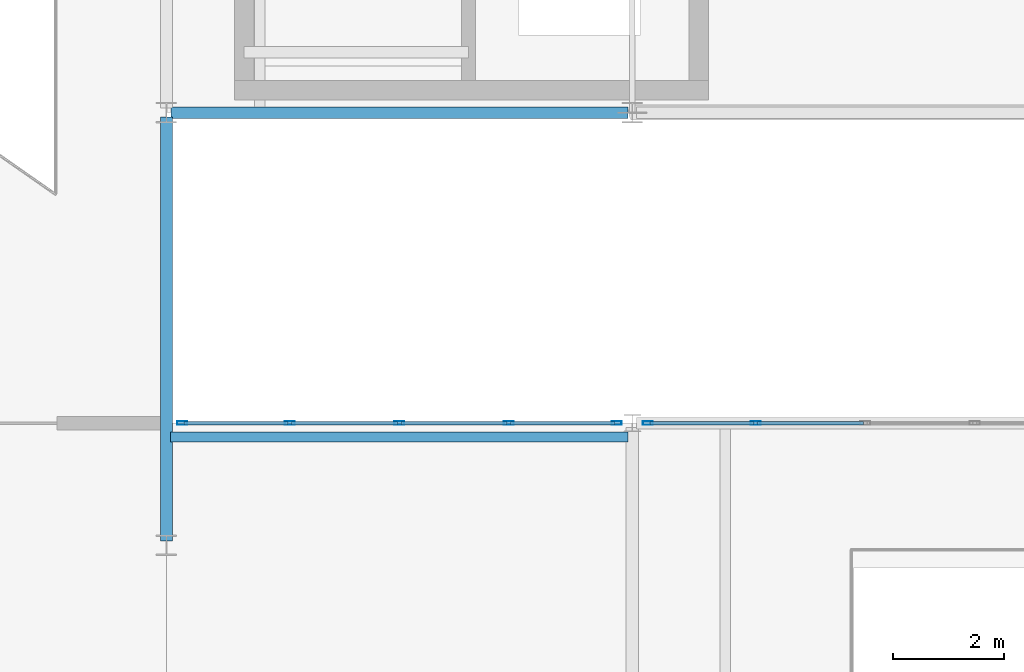
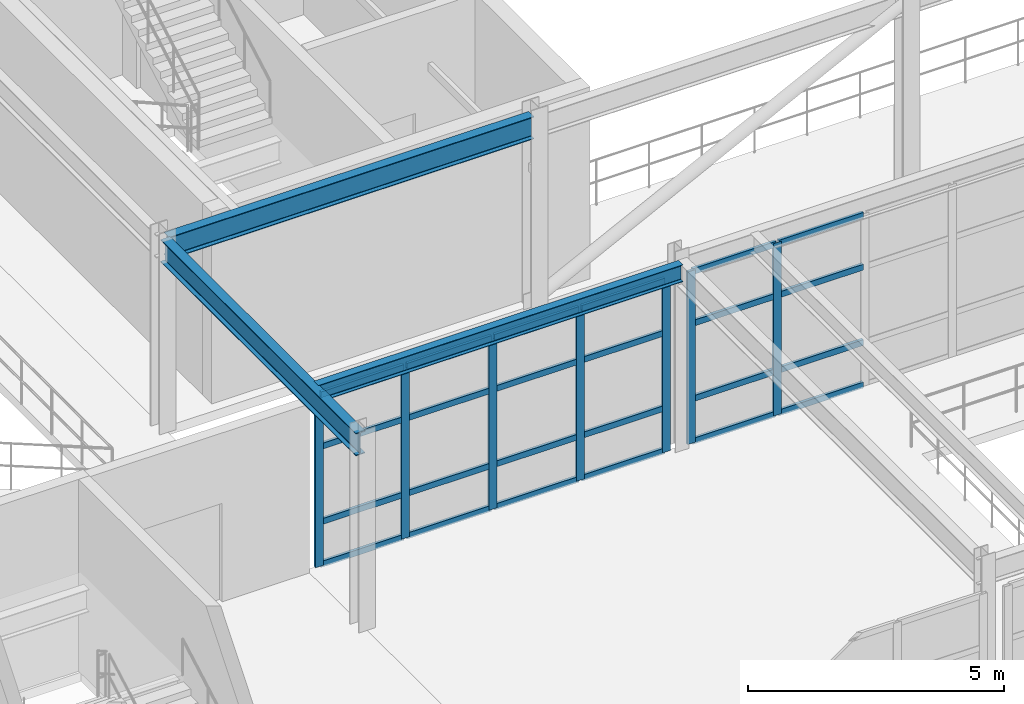
# One storey, part 29 of 116: 31 members, 3 beams, 2 elements without a shape of their own.
"""IFC4 building model written with IfcOpenShell, lengths in metres."""

import ifcopenshell
import ifcopenshell.guid

model = None  # the IFC model being written
_history = None  # IfcOwnerHistory: only IFC2X3 demands one
_inside = {}  # id of a spatial element -> (the spatial element, [elements in it])
_under = {}  # id of a project, library or spatial element -> (it, [spatial elements below it])
_declared = {}  # id of a project -> (the project, [libraries it declares])
_typed = {}  # id of a type object -> (the type object, [elements of that type])
_made_of = {}  # id of a material, layer set ... -> (it, [elements and type objects made of it])


def new_model(schema):
    """Start an empty IFC model of exactly this schema.

    Asked for "IFC4X3", IfcOpenShell would pick the latest addendum, in which some entities
    have other attributes; the version numbers below select the first issue.
    IFC2X3 requires an IfcOwnerHistory on every rooted entity: one is made here for all.
    """
    global model, _history
    if schema == "IFC4X3":
        model = ifcopenshell.file(schema_version=(4, 3, 0, 0))
    else:
        model = ifcopenshell.file(schema=schema)
    _inside.clear()
    _under.clear()
    _declared.clear()
    _typed.clear()
    _made_of.clear()
    _history = None
    if model.schema == "IFC2X3":
        org = make("IfcOrganization", Name="unknown")
        user = make(
            "IfcPersonAndOrganization",
            ThePerson=make("IfcPerson", FamilyName="unknown"),
            TheOrganization=org,
        )
        app = make(
            "IfcApplication",
            ApplicationDeveloper=org,
            Version="unknown",
            ApplicationFullName="unknown",
            ApplicationIdentifier="unknown",
        )
        _history = make(
            "IfcOwnerHistory",
            OwningUser=user,
            OwningApplication=app,
            ChangeAction="ADDED",
            CreationDate=0,
        )
    return model


def make(cls, **values):
    """One entity of the class cls with the attributes given. An attribute that is None is left unset."""
    return model.create_entity(
        cls, **{name: value for name, value in values.items() if value is not None}
    )


def rooted(cls, **values):
    """An entity with a GlobalId (a new one), such as an element, a storey or a relation."""
    return make(cls, GlobalId=ifcopenshell.guid.new(), OwnerHistory=_history, **values)


def si_unit(unit_type, name, prefix=None):
    """IfcSIUnit, for example si_unit("LENGTHUNIT", "METRE", prefix="MILLI")."""
    return make("IfcSIUnit", UnitType=unit_type, Prefix=prefix, Name=name)


def assignment(units):
    """IfcUnitAssignment: the units of a project."""
    return None if units is None else make("IfcUnitAssignment", Units=units)


def point(xyz):
    """IfcCartesianPoint."""
    return None if xyz is None else make("IfcCartesianPoint", Coordinates=xyz)


def direction(xyz):
    """IfcDirection."""
    return None if xyz is None else make("IfcDirection", DirectionRatios=xyz)


def frame(location, z_axis=None, x_axis=None):
    """IfcAxis2Placement3D, a coordinate frame: its origin and axes. An axis left out is left unset."""
    return make(
        "IfcAxis2Placement3D",
        Location=point(location),
        Axis=direction(z_axis),
        RefDirection=direction(x_axis),
    )


def frame_2d(location, x_axis=None):
    """IfcAxis2Placement2D, a coordinate frame in the plane: its origin and x axis."""
    return make(
        "IfcAxis2Placement2D", Location=point(location), RefDirection=direction(x_axis)
    )


def origin():
    """The frame at (0, 0, 0) with its axes left unset."""
    return frame((0.0, 0.0, 0.0))


def origin_2d():
    """The frame at (0, 0) in the plane with its x axis left unset."""
    return frame_2d((0.0, 0.0))


def place(relative_to, where):
    """IfcLocalPlacement: puts the frame where relative to a parent placement (None: the world)."""
    return make(
        "IfcLocalPlacement", PlacementRelTo=relative_to, RelativePlacement=where
    )


def context(
    kind, dimensions, precision=None, world=None, true_north=None, identifier=None
):
    """IfcGeometricRepresentationContext, for example the 3D "Model" context."""
    return make(
        "IfcGeometricRepresentationContext",
        ContextIdentifier=identifier,
        ContextType=kind,
        CoordinateSpaceDimension=dimensions,
        Precision=precision,
        WorldCoordinateSystem=world,
        TrueNorth=true_north,
    )


def subcontext(parent, identifier, kind, view, scale=None):
    """IfcGeometricRepresentationSubContext, for example "Body" below "Model"."""
    return make(
        "IfcGeometricRepresentationSubContext",
        ContextIdentifier=identifier,
        ContextType=kind,
        ParentContext=parent,
        TargetScale=scale,
        TargetView=view,
    )


def project(units=None, contexts=None):
    """IfcProject with its units and contexts."""
    return rooted(
        "IfcProject",
        Name="project",
        RepresentationContexts=contexts,
        UnitsInContext=assignment(units),
    )


def spatial(cls, under=None, at=None, **own):
    """A site, building, storey or space (cls), placed at a placement, below another one or the project."""
    s = rooted(cls, ObjectPlacement=at, **own)
    if under is not None:
        _under.setdefault(under.id(), (under, []))[1].append(s)
    return s


def profile(cls, at=None, kind="AREA", **sizes):
    """A parametric profile (cls). Its sizes go by their IFC names, for example OverallWidth=200.0."""
    return make(cls, ProfileType=kind, Position=at, **sizes)


def hollow_rectangle(**sizes):
    """IfcRectangleHollowProfileDef."""
    return profile("IfcRectangleHollowProfileDef", **sizes)


def i_section(**sizes):
    """IfcIShapeProfileDef."""
    return profile("IfcIShapeProfileDef", **sizes)


def extrude(swept, where, along, depth):
    """IfcExtrudedAreaSolid: the profile swept, set in the frame where, extruded along a direction by depth."""
    return make(
        "IfcExtrudedAreaSolid",
        SweptArea=swept,
        Position=where,
        ExtrudedDirection=direction(along),
        Depth=depth,
    )


def shape(context_of_items, identifier, shape_type, items):
    """IfcShapeRepresentation: the items that make up one representation, for example the "Body"."""
    return make(
        "IfcShapeRepresentation",
        ContextOfItems=context_of_items,
        RepresentationIdentifier=identifier,
        RepresentationType=shape_type,
        Items=items,
    )


def material(Name=None, Category=None):
    """IfcMaterial."""
    return make("IfcMaterial", Name=Name, Category=Category)


def layer(
    of_material, thickness, ventilated=None, Name=None, Category=None, Priority=None
):
    """IfcMaterialLayer: one layer of a wall or slab, of a material (None: an air gap)."""
    return make(
        "IfcMaterialLayer",
        Material=of_material,
        LayerThickness=thickness,
        IsVentilated=ventilated,
        Name=Name,
        Category=Category,
        Priority=Priority,
    )


def layer_set(layers, Name=None):
    """IfcMaterialLayerSet."""
    return make("IfcMaterialLayerSet", MaterialLayers=layers, LayerSetName=Name)


def material_profile(
    of_material, cross_section, Name=None, Category=None, Priority=None
):
    """IfcMaterialProfile: a cross section and its material."""
    return make(
        "IfcMaterialProfile",
        Name=Name,
        Material=of_material,
        Profile=cross_section,
        Priority=Priority,
        Category=Category,
    )


def profile_set(profiles, Name=None, composite=None):
    """IfcMaterialProfileSet."""
    return make(
        "IfcMaterialProfileSet",
        Name=Name,
        MaterialProfiles=profiles,
        CompositeProfile=composite,
    )


def made_of(thing, what):
    """Note that an element or type object is made of a material, layer set ...; save() writes the relation."""
    if what is not None:
        _made_of.setdefault(what.id(), (what, []))[1].append(thing)
    return thing


def type_object(cls, material=None, **own):
    """A type object (cls), such as IfcWallType, which elements share."""
    return made_of(rooted(cls, **own), material)


def element(
    cls,
    number,
    at=None,
    inside=None,
    cuts=None,
    type_object=None,
    material=None,
    context=None,
    identifier="Body",
    shape_type=None,
    held_by="IfcProductDefinitionShape",
    body=None,
    shapes=None,
    **own,
):
    """One element of the class cls, such as IfcWall. Its Tag is "e" and its number.

    at: its placement. inside: the storey or other place that contains it. cuts: it is an
    opening in that element (IfcRelVoidsElement). A single representation is given by context,
    identifier, shape_type and body (its items); several are given by shapes. held_by: the class
    of the entity that holds the representations. save() writes the other relations.
    """
    e = rooted(cls, Tag="e%d" % number, ObjectPlacement=at, **own)
    if body is not None:
        shapes = [shape(context, identifier, shape_type, body)]
    if shapes is not None:
        e.Representation = make(held_by, Representations=shapes)
    if inside is not None:
        _inside.setdefault(inside.id(), (inside, []))[1].append(e)
    if cuts is not None:
        rooted(
            "IfcRelVoidsElement", RelatingBuildingElement=cuts, RelatedOpeningElement=e
        )
    if type_object is not None:
        _typed.setdefault(type_object.id(), (type_object, []))[1].append(e)
    return made_of(e, material)


def aggregate(whole, parts):
    """IfcRelAggregates: a whole, such as a stair, and the parts it consists of."""
    return rooted("IfcRelAggregates", RelatingObject=whole, RelatedObjects=parts)


def save(model, path):
    """Write the relations noted so far, then the file.

    IfcRelAggregates (storeys below a building ...), IfcRelContainedInSpatialStructure (elements
    in a storey), IfcRelDefinesByType, IfcRelAssociatesMaterial and IfcRelDeclares: one each for
    every whole, place, type object, material and project.
    """
    for whole, parts in _under.values():
        aggregate(whole, parts)
    for where, things in _inside.values():
        rooted(
            "IfcRelContainedInSpatialStructure",
            RelatedElements=things,
            RelatingStructure=where,
        )
    for kind, things in _typed.values():
        rooted("IfcRelDefinesByType", RelatedObjects=things, RelatingType=kind)
    for what, things in _made_of.values():
        rooted("IfcRelAssociatesMaterial", RelatedObjects=things, RelatingMaterial=what)
    for by, libraries in _declared.values():
        rooted("IfcRelDeclares", RelatingContext=by, RelatedDefinitions=libraries)
    model.write(path)


model = new_model("IFC4")

# Units and contexts
model_context = context("Model", 3, precision=1e-05, world=origin(), true_north=direction((0.0, 1.0)))
body_context = subcontext(model_context, "Body", "Model", "MODEL_VIEW")
ifc_project = project(units=[si_unit("LENGTHUNIT", "METRE"), si_unit("AREAUNIT", "SQUARE_METRE"), si_unit("VOLUMEUNIT", "CUBIC_METRE"), si_unit("PLANEANGLEUNIT", "RADIAN"), si_unit("MASSUNIT", "GRAM", prefix="KILO")], contexts=[model_context])

# Site, building, storey
site_placement = place(None, origin())
site = spatial("IfcSite", under=ifc_project, at=site_placement, CompositionType="ELEMENT")
building_placement = place(site_placement, origin())
building = spatial("IfcBuilding", under=site, at=building_placement, Name="Selat Folded Stagehouse", CompositionType="ELEMENT")
storey_placement = place(building_placement, frame((0.0, 0.0, 5.39990234375)))
storey = spatial("IfcBuildingStorey", under=building, at=storey_placement, Name="L01", CompositionType="ELEMENT", Elevation=5.39990234375)

# Beams
ifc_material_1 = material(Name="Steel S355", Category="steel")
ifc_material_profile_1 = material_profile(ifc_material_1, i_section(OverallWidth=0.210693359375, OverallDepth=0.53955078125, WebThickness=0.01171875, FlangeThickness=0.018798828125, FilletRadius=0.0126953125, at=origin_2d()), Name="UKB 533x210x109")
ifc_profile_set_1 = profile_set([ifc_material_profile_1], Name="Steel S355")
beam_type_1 = type_object("IfcBeamType", Name="BM-GIRD-533x210x109", PredefinedType="BEAM", material=ifc_profile_set_1)
beam_1_placement = place(storey_placement, frame((33.60009765625, 15.679931640625, 4.310302734375), z_axis=(0.0, 1.0, 0.0), x_axis=(-1.0, 0.0, 0.0)))
element("IfcBeam", 1, at=beam_1_placement, inside=storey, type_object=beam_type_1, Name="L01 primary y-girder 0814", PredefinedType="BEAM", context=body_context, shape_type="SweptSolid", body=[
    extrude(i_section(OverallWidth=0.210693359375, OverallDepth=0.53955078125, WebThickness=0.01171875, FlangeThickness=0.018798828125, FilletRadius=0.0126953125, at=origin_2d()), origin(), (0.0, 0.0, 1.0), 7.64013671875),
])
ifc_material_profile_2 = material_profile(ifc_material_1, i_section(OverallWidth=0.209228515625, OverallDepth=0.533203125, WebThickness=0.010009765625, FlangeThickness=0.015625, FilletRadius=0.0126953125, at=origin_2d()), Name="UKB 533x210x92")
ifc_profile_set_2 = profile_set([ifc_material_profile_2], Name="Steel S355")
beam_type_2 = type_object("IfcBeamType", Name="BM-GIRD-533x210x92", PredefinedType="BEAM", material=ifc_profile_set_2)
beam_2_placement = place(storey_placement, frame((33.679931640625, 23.39990234375, 4.3134765625), z_axis=(1.0, 0.0, 0.0), x_axis=(0.0, 1.0, 0.0)))
element("IfcBeam", 2, at=beam_2_placement, inside=storey, type_object=beam_type_2, Name="L01 primary x-girder 0778", PredefinedType="BEAM", context=body_context, shape_type="SweptSolid", body=[
    extrude(i_section(OverallWidth=0.209228515625, OverallDepth=0.533203125, WebThickness=0.010009765625, FlangeThickness=0.015625, FilletRadius=0.0126953125, at=origin_2d()), origin(), (0.0, 0.0, 1.0), 8.239990234375),
])

# Curtain wall, members
ifc_material_2 = material(Name="Aluminium 6063-T6", Category="aluminium")
ifc_layer = layer(ifc_material_2, 0.195068359375)
ifc_layer_set = layer_set([ifc_layer], Name="Aluminium 6063-T6")
curtain_wall_type = type_object("IfcCurtainWallType", Name="CW-FYR-COURT", PredefinedType="NOTDEFINED", material=ifc_layer_set)
curtain_wall_1_placement = place(storey_placement, origin())
curtain_wall_1 = element("IfcCurtainWall", 3, at=curtain_wall_1_placement, inside=storey, type_object=curtain_wall_type, Name="L01 curtain wall CW-FYR-L01-07", PredefinedType="NOTDEFINED")
ifc_material_profile_3 = material_profile(ifc_material_2, hollow_rectangle(XDim=0.06494140625, YDim=0.179931640625, WallThickness=0.00390625, at=origin_2d()), Name="ALU 180x65x4.0")
ifc_profile_set_3 = profile_set([ifc_material_profile_3], Name="Aluminium 6063-T6")
member_type_1 = type_object("IfcMemberType", Name="CWM-MUL-180x65", PredefinedType="MULLION", material=ifc_profile_set_3)
member_1_placement = place(storey_placement, frame((33.882568359375, 17.800048828125, 0.0), z_axis=(0.0, 0.0, 1.0), x_axis=(0.0, 1.0, 0.0)))
member_1 = element("IfcMember", 4, at=member_1_placement, type_object=member_type_1, Name="CW-05 mullion 1", PredefinedType="MULLION", context=body_context, shape_type="SweptSolid", body=[
    extrude(hollow_rectangle(XDim=0.06494140625, YDim=0.179931640625, WallThickness=0.00390625, at=origin_2d()), origin(), (0.0, 0.0, 1.0), 4.1201171875),
])
member_2_placement = place(storey_placement, frame((35.824951171875, 17.800048828125, 0.0), z_axis=(0.0, 0.0, 1.0), x_axis=(0.0, 1.0, 0.0)))
member_2 = element("IfcMember", 5, at=member_2_placement, type_object=member_type_1, Name="CW-05 mullion 2", PredefinedType="MULLION", context=body_context, shape_type="SweptSolid", body=[
    extrude(hollow_rectangle(XDim=0.06494140625, YDim=0.179931640625, WallThickness=0.00390625, at=origin_2d()), origin(), (0.0, 0.0, 1.0), 4.1201171875),
])
member_3_placement = place(storey_placement, frame((37.800048828125, 17.800048828125, 0.0), z_axis=(0.0, 0.0, 1.0), x_axis=(0.0, 1.0, 0.0)))
member_3 = element("IfcMember", 6, at=member_3_placement, type_object=member_type_1, Name="CW-05 mullion 3", PredefinedType="MULLION", context=body_context, shape_type="SweptSolid", body=[
    extrude(hollow_rectangle(XDim=0.06494140625, YDim=0.179931640625, WallThickness=0.00390625, at=origin_2d()), origin(), (0.0, 0.0, 1.0), 4.1201171875),
])
member_4_placement = place(storey_placement, frame((39.77490234375, 17.800048828125, 0.0), z_axis=(0.0, 0.0, 1.0), x_axis=(0.0, 1.0, 0.0)))
member_4 = element("IfcMember", 7, at=member_4_placement, type_object=member_type_1, Name="CW-05 mullion 4", PredefinedType="MULLION", context=body_context, shape_type="SweptSolid", body=[
    extrude(hollow_rectangle(XDim=0.06494140625, YDim=0.179931640625, WallThickness=0.00390625, at=origin_2d()), origin(), (0.0, 0.0, 1.0), 4.1201171875),
])
member_5_placement = place(storey_placement, frame((41.717529296875, 17.800048828125, 0.0), z_axis=(0.0, 0.0, 1.0), x_axis=(0.0, 1.0, 0.0)))
member_5 = element("IfcMember", 8, at=member_5_placement, type_object=member_type_1, Name="CW-05 mullion 5", PredefinedType="MULLION", context=body_context, shape_type="SweptSolid", body=[
    extrude(hollow_rectangle(XDim=0.06494140625, YDim=0.179931640625, WallThickness=0.00390625, at=origin_2d()), origin(), (0.0, 0.0, 1.0), 4.1201171875),
])

curtain_wall_2_placement = place(storey_placement, origin())
curtain_wall_2 = element("IfcCurtainWall", 9, at=curtain_wall_2_placement, inside=storey, type_object=curtain_wall_type, Name="L01 curtain wall CW-FYR-L01-08", PredefinedType="NOTDEFINED")
member_6_placement = place(storey_placement, frame((42.282470703125, 17.800048828125, 0.0), z_axis=(0.0, 0.0, 1.0), x_axis=(0.0, 1.0, 0.0)))
member_6 = element("IfcMember", 10, at=member_6_placement, type_object=member_type_1, Name="CW-05 mullion 1", PredefinedType="MULLION", context=body_context, shape_type="SweptSolid", body=[
    extrude(hollow_rectangle(XDim=0.06494140625, YDim=0.179931640625, WallThickness=0.00390625, at=origin_2d()), origin(), (0.0, 0.0, 1.0), 4.1201171875),
])
member_7_placement = place(storey_placement, frame((44.22509765625, 17.800048828125, 0.0), z_axis=(0.0, 0.0, 1.0), x_axis=(0.0, 1.0, 0.0)))
member_7 = element("IfcMember", 11, at=member_7_placement, type_object=member_type_1, Name="CW-05 mullion 2", PredefinedType="MULLION", context=body_context, shape_type="SweptSolid", body=[
    extrude(hollow_rectangle(XDim=0.06494140625, YDim=0.179931640625, WallThickness=0.00390625, at=origin_2d()), origin(), (0.0, 0.0, 1.0), 4.1201171875),
])

# Member
ifc_material_profile_4 = material_profile(ifc_material_2, hollow_rectangle(XDim=0.06494140625, YDim=0.139892578125, WallThickness=0.00390625, at=origin_2d()), Name="ALU 140x65x4.0")
ifc_profile_set_4 = profile_set([ifc_material_profile_4], Name="Aluminium 6063-T6")
member_type_2 = type_object("IfcMemberType", Name="CWM-TRN-140x65", PredefinedType="USERDEFINED", material=ifc_profile_set_4)
member_8_placement = place(storey_placement, frame((33.9150390625, 17.800048828125, 0.03271484375), z_axis=(1.0, 0.0, 0.0), x_axis=(0.0, 1.0, 0.0)))
member_8 = element("IfcMember", 12, at=member_8_placement, type_object=member_type_2, Name="CW-05 transom 1.1", ObjectType="TRANSOM", PredefinedType="USERDEFINED", context=body_context, shape_type="SweptSolid", body=[
    extrude(hollow_rectangle(XDim=0.06494140625, YDim=0.139892578125, WallThickness=0.00390625, at=origin_2d()), origin(), (0.0, 0.0, 1.0), 1.87744140625),
])

member_9_placement = place(storey_placement, frame((33.9150390625, 17.800048828125, 1.050048828125), z_axis=(1.0, 0.0, 0.0), x_axis=(0.0, 1.0, 0.0)))
member_9 = element("IfcMember", 13, at=member_9_placement, type_object=member_type_2, Name="CW-05 transom 1.2", ObjectType="TRANSOM", PredefinedType="USERDEFINED", context=body_context, shape_type="SweptSolid", body=[
    extrude(hollow_rectangle(XDim=0.06494140625, YDim=0.139892578125, WallThickness=0.00390625, at=origin_2d()), origin(), (0.0, 0.0, 1.0), 1.87744140625),
])

member_10_placement = place(storey_placement, frame((33.9150390625, 17.800048828125, 2.85009765625), z_axis=(1.0, 0.0, 0.0), x_axis=(0.0, 1.0, 0.0)))
member_10 = element("IfcMember", 14, at=member_10_placement, type_object=member_type_2, Name="CW-05 transom 1.3", ObjectType="TRANSOM", PredefinedType="USERDEFINED", context=body_context, shape_type="SweptSolid", body=[
    extrude(hollow_rectangle(XDim=0.06494140625, YDim=0.139892578125, WallThickness=0.00390625, at=origin_2d()), origin(), (0.0, 0.0, 1.0), 1.87744140625),
])

member_11_placement = place(storey_placement, frame((33.9150390625, 17.800048828125, 4.087646484375), z_axis=(1.0, 0.0, 0.0), x_axis=(0.0, 1.0, 0.0)))
member_11 = element("IfcMember", 15, at=member_11_placement, type_object=member_type_2, Name="CW-05 transom 1.4", ObjectType="TRANSOM", PredefinedType="USERDEFINED", context=body_context, shape_type="SweptSolid", body=[
    extrude(hollow_rectangle(XDim=0.06494140625, YDim=0.139892578125, WallThickness=0.00390625, at=origin_2d()), origin(), (0.0, 0.0, 1.0), 1.87744140625),
])

member_12_placement = place(storey_placement, frame((35.857421875, 17.800048828125, 0.03271484375), z_axis=(1.0, 0.0, 0.0), x_axis=(0.0, 1.0, 0.0)))
member_12 = element("IfcMember", 16, at=member_12_placement, type_object=member_type_2, Name="CW-05 transom 2.1", ObjectType="TRANSOM", PredefinedType="USERDEFINED", context=body_context, shape_type="SweptSolid", body=[
    extrude(hollow_rectangle(XDim=0.06494140625, YDim=0.139892578125, WallThickness=0.00390625, at=origin_2d()), origin(), (0.0, 0.0, 1.0), 1.91015625),
])

member_13_placement = place(storey_placement, frame((35.857421875, 17.800048828125, 1.050048828125), z_axis=(1.0, 0.0, 0.0), x_axis=(0.0, 1.0, 0.0)))
member_13 = element("IfcMember", 17, at=member_13_placement, type_object=member_type_2, Name="CW-05 transom 2.2", ObjectType="TRANSOM", PredefinedType="USERDEFINED", context=body_context, shape_type="SweptSolid", body=[
    extrude(hollow_rectangle(XDim=0.06494140625, YDim=0.139892578125, WallThickness=0.00390625, at=origin_2d()), origin(), (0.0, 0.0, 1.0), 1.91015625),
])

member_14_placement = place(storey_placement, frame((35.857421875, 17.800048828125, 2.85009765625), z_axis=(1.0, 0.0, 0.0), x_axis=(0.0, 1.0, 0.0)))
member_14 = element("IfcMember", 18, at=member_14_placement, type_object=member_type_2, Name="CW-05 transom 2.3", ObjectType="TRANSOM", PredefinedType="USERDEFINED", context=body_context, shape_type="SweptSolid", body=[
    extrude(hollow_rectangle(XDim=0.06494140625, YDim=0.139892578125, WallThickness=0.00390625, at=origin_2d()), origin(), (0.0, 0.0, 1.0), 1.91015625),
])

member_15_placement = place(storey_placement, frame((35.857421875, 17.800048828125, 4.087646484375), z_axis=(1.0, 0.0, 0.0), x_axis=(0.0, 1.0, 0.0)))
member_15 = element("IfcMember", 19, at=member_15_placement, type_object=member_type_2, Name="CW-05 transom 2.4", ObjectType="TRANSOM", PredefinedType="USERDEFINED", context=body_context, shape_type="SweptSolid", body=[
    extrude(hollow_rectangle(XDim=0.06494140625, YDim=0.139892578125, WallThickness=0.00390625, at=origin_2d()), origin(), (0.0, 0.0, 1.0), 1.91015625),
])

member_16_placement = place(storey_placement, frame((37.83251953125, 17.800048828125, 0.03271484375), z_axis=(1.0, 0.0, 0.0), x_axis=(0.0, 1.0, 0.0)))
member_16 = element("IfcMember", 20, at=member_16_placement, type_object=member_type_2, Name="CW-05 transom 3.1", ObjectType="TRANSOM", PredefinedType="USERDEFINED", context=body_context, shape_type="SweptSolid", body=[
    extrude(hollow_rectangle(XDim=0.06494140625, YDim=0.139892578125, WallThickness=0.00390625, at=origin_2d()), origin(), (0.0, 0.0, 1.0), 1.909912109375),
])

member_17_placement = place(storey_placement, frame((37.83251953125, 17.800048828125, 1.050048828125), z_axis=(1.0, 0.0, 0.0), x_axis=(0.0, 1.0, 0.0)))
member_17 = element("IfcMember", 21, at=member_17_placement, type_object=member_type_2, Name="CW-05 transom 3.2", ObjectType="TRANSOM", PredefinedType="USERDEFINED", context=body_context, shape_type="SweptSolid", body=[
    extrude(hollow_rectangle(XDim=0.06494140625, YDim=0.139892578125, WallThickness=0.00390625, at=origin_2d()), origin(), (0.0, 0.0, 1.0), 1.909912109375),
])

member_18_placement = place(storey_placement, frame((37.83251953125, 17.800048828125, 2.85009765625), z_axis=(1.0, 0.0, 0.0), x_axis=(0.0, 1.0, 0.0)))
member_18 = element("IfcMember", 22, at=member_18_placement, type_object=member_type_2, Name="CW-05 transom 3.3", ObjectType="TRANSOM", PredefinedType="USERDEFINED", context=body_context, shape_type="SweptSolid", body=[
    extrude(hollow_rectangle(XDim=0.06494140625, YDim=0.139892578125, WallThickness=0.00390625, at=origin_2d()), origin(), (0.0, 0.0, 1.0), 1.909912109375),
])

member_19_placement = place(storey_placement, frame((37.83251953125, 17.800048828125, 4.087646484375), z_axis=(1.0, 0.0, 0.0), x_axis=(0.0, 1.0, 0.0)))
member_19 = element("IfcMember", 23, at=member_19_placement, type_object=member_type_2, Name="CW-05 transom 3.4", ObjectType="TRANSOM", PredefinedType="USERDEFINED", context=body_context, shape_type="SweptSolid", body=[
    extrude(hollow_rectangle(XDim=0.06494140625, YDim=0.139892578125, WallThickness=0.00390625, at=origin_2d()), origin(), (0.0, 0.0, 1.0), 1.909912109375),
])

member_20_placement = place(storey_placement, frame((39.8076171875, 17.800048828125, 0.03271484375), z_axis=(1.0, 0.0, 0.0), x_axis=(0.0, 1.0, 0.0)))
member_20 = element("IfcMember", 24, at=member_20_placement, type_object=member_type_2, Name="CW-05 transom 4.1", ObjectType="TRANSOM", PredefinedType="USERDEFINED", context=body_context, shape_type="SweptSolid", body=[
    extrude(hollow_rectangle(XDim=0.06494140625, YDim=0.139892578125, WallThickness=0.00390625, at=origin_2d()), origin(), (0.0, 0.0, 1.0), 1.87744140625),
])

member_21_placement = place(storey_placement, frame((39.8076171875, 17.800048828125, 1.050048828125), z_axis=(1.0, 0.0, 0.0), x_axis=(0.0, 1.0, 0.0)))
member_21 = element("IfcMember", 25, at=member_21_placement, type_object=member_type_2, Name="CW-05 transom 4.2", ObjectType="TRANSOM", PredefinedType="USERDEFINED", context=body_context, shape_type="SweptSolid", body=[
    extrude(hollow_rectangle(XDim=0.06494140625, YDim=0.139892578125, WallThickness=0.00390625, at=origin_2d()), origin(), (0.0, 0.0, 1.0), 1.87744140625),
])

member_22_placement = place(storey_placement, frame((39.8076171875, 17.800048828125, 2.85009765625), z_axis=(1.0, 0.0, 0.0), x_axis=(0.0, 1.0, 0.0)))
member_22 = element("IfcMember", 26, at=member_22_placement, type_object=member_type_2, Name="CW-05 transom 4.3", ObjectType="TRANSOM", PredefinedType="USERDEFINED", context=body_context, shape_type="SweptSolid", body=[
    extrude(hollow_rectangle(XDim=0.06494140625, YDim=0.139892578125, WallThickness=0.00390625, at=origin_2d()), origin(), (0.0, 0.0, 1.0), 1.87744140625),
])

member_23_placement = place(storey_placement, frame((39.8076171875, 17.800048828125, 4.087646484375), z_axis=(1.0, 0.0, 0.0), x_axis=(0.0, 1.0, 0.0)))
member_23 = element("IfcMember", 27, at=member_23_placement, type_object=member_type_2, Name="CW-05 transom 4.4", ObjectType="TRANSOM", PredefinedType="USERDEFINED", context=body_context, shape_type="SweptSolid", body=[
    extrude(hollow_rectangle(XDim=0.06494140625, YDim=0.139892578125, WallThickness=0.00390625, at=origin_2d()), origin(), (0.0, 0.0, 1.0), 1.87744140625),
])

aggregate(curtain_wall_1, [member_1, member_2, member_3, member_4, member_5, member_8, member_9, member_10, member_11, member_12, member_13, member_14, member_15, member_16, member_17, member_18, member_19, member_20, member_21, member_22, member_23])

member_24_placement = place(storey_placement, frame((42.31494140625, 17.800048828125, 0.03271484375), z_axis=(1.0, 0.0, 0.0), x_axis=(0.0, 1.0, 0.0)))
member_24 = element("IfcMember", 28, at=member_24_placement, type_object=member_type_2, Name="CW-05 transom 1.1", ObjectType="TRANSOM", PredefinedType="USERDEFINED", context=body_context, shape_type="SweptSolid", body=[
    extrude(hollow_rectangle(XDim=0.06494140625, YDim=0.139892578125, WallThickness=0.00390625, at=origin_2d()), origin(), (0.0, 0.0, 1.0), 1.87744140625),
])

member_25_placement = place(storey_placement, frame((42.31494140625, 17.800048828125, 1.050048828125), z_axis=(1.0, 0.0, 0.0), x_axis=(0.0, 1.0, 0.0)))
member_25 = element("IfcMember", 29, at=member_25_placement, type_object=member_type_2, Name="CW-05 transom 1.2", ObjectType="TRANSOM", PredefinedType="USERDEFINED", context=body_context, shape_type="SweptSolid", body=[
    extrude(hollow_rectangle(XDim=0.06494140625, YDim=0.139892578125, WallThickness=0.00390625, at=origin_2d()), origin(), (0.0, 0.0, 1.0), 1.87744140625),
])

member_26_placement = place(storey_placement, frame((42.31494140625, 17.800048828125, 2.85009765625), z_axis=(1.0, 0.0, 0.0), x_axis=(0.0, 1.0, 0.0)))
member_26 = element("IfcMember", 30, at=member_26_placement, type_object=member_type_2, Name="CW-05 transom 1.3", ObjectType="TRANSOM", PredefinedType="USERDEFINED", context=body_context, shape_type="SweptSolid", body=[
    extrude(hollow_rectangle(XDim=0.06494140625, YDim=0.139892578125, WallThickness=0.00390625, at=origin_2d()), origin(), (0.0, 0.0, 1.0), 1.87744140625),
])

member_27_placement = place(storey_placement, frame((42.31494140625, 17.800048828125, 4.087646484375), z_axis=(1.0, 0.0, 0.0), x_axis=(0.0, 1.0, 0.0)))
member_27 = element("IfcMember", 31, at=member_27_placement, type_object=member_type_2, Name="CW-05 transom 1.4", ObjectType="TRANSOM", PredefinedType="USERDEFINED", context=body_context, shape_type="SweptSolid", body=[
    extrude(hollow_rectangle(XDim=0.06494140625, YDim=0.139892578125, WallThickness=0.00390625, at=origin_2d()), origin(), (0.0, 0.0, 1.0), 1.87744140625),
])

member_28_placement = place(storey_placement, frame((44.257568359375, 17.800048828125, 0.03271484375), z_axis=(1.0, 0.0, 0.0), x_axis=(0.0, 1.0, 0.0)))
member_28 = element("IfcMember", 32, at=member_28_placement, type_object=member_type_2, Name="CW-05 transom 2.1", ObjectType="TRANSOM", PredefinedType="USERDEFINED", context=body_context, shape_type="SweptSolid", body=[
    extrude(hollow_rectangle(XDim=0.06494140625, YDim=0.139892578125, WallThickness=0.00390625, at=origin_2d()), origin(), (0.0, 0.0, 1.0), 1.909912109375),
])

member_29_placement = place(storey_placement, frame((44.257568359375, 17.800048828125, 1.050048828125), z_axis=(1.0, 0.0, 0.0), x_axis=(0.0, 1.0, 0.0)))
member_29 = element("IfcMember", 33, at=member_29_placement, type_object=member_type_2, Name="CW-05 transom 2.2", ObjectType="TRANSOM", PredefinedType="USERDEFINED", context=body_context, shape_type="SweptSolid", body=[
    extrude(hollow_rectangle(XDim=0.06494140625, YDim=0.139892578125, WallThickness=0.00390625, at=origin_2d()), origin(), (0.0, 0.0, 1.0), 1.909912109375),
])

member_30_placement = place(storey_placement, frame((44.257568359375, 17.800048828125, 2.85009765625), z_axis=(1.0, 0.0, 0.0), x_axis=(0.0, 1.0, 0.0)))
member_30 = element("IfcMember", 34, at=member_30_placement, type_object=member_type_2, Name="CW-05 transom 2.3", ObjectType="TRANSOM", PredefinedType="USERDEFINED", context=body_context, shape_type="SweptSolid", body=[
    extrude(hollow_rectangle(XDim=0.06494140625, YDim=0.139892578125, WallThickness=0.00390625, at=origin_2d()), origin(), (0.0, 0.0, 1.0), 1.909912109375),
])

member_31_placement = place(storey_placement, frame((44.257568359375, 17.800048828125, 4.087646484375), z_axis=(1.0, 0.0, 0.0), x_axis=(0.0, 1.0, 0.0)))
member_31 = element("IfcMember", 35, at=member_31_placement, type_object=member_type_2, Name="CW-05 transom 2.4", ObjectType="TRANSOM", PredefinedType="USERDEFINED", context=body_context, shape_type="SweptSolid", body=[
    extrude(hollow_rectangle(XDim=0.06494140625, YDim=0.139892578125, WallThickness=0.00390625, at=origin_2d()), origin(), (0.0, 0.0, 1.0), 1.909912109375),
])

aggregate(curtain_wall_2, [member_6, member_7, member_24, member_25, member_26, member_27, member_28, member_29, member_30, member_31])

# Beam
ifc_material_profile_5 = material_profile(ifc_material_1, i_section(OverallWidth=0.177978515625, OverallDepth=0.406494140625, WebThickness=0.0078125, FlangeThickness=0.0126953125, FilletRadius=0.01025390625, at=origin_2d()), Name="UKB 406x178x60")
ifc_profile_set_5 = profile_set([ifc_material_profile_5], Name="Steel S355")
beam_type_3 = type_object("IfcBeamType", Name="JST-406x178x60", PredefinedType="JOIST", material=ifc_profile_set_5)
beam_3_placement = place(storey_placement, frame((33.673828125, 17.550048828125, 4.376953125), z_axis=(1.0, 0.0, 0.0), x_axis=(0.0, 1.0, 0.0)))
element("IfcBeam", 36, at=beam_3_placement, inside=storey, type_object=beam_type_3, Name="L01 secondary x-joist 0949", PredefinedType="JOIST", context=body_context, shape_type="SweptSolid", body=[
    extrude(i_section(OverallWidth=0.177978515625, OverallDepth=0.406494140625, WebThickness=0.0078125, FlangeThickness=0.0126953125, FilletRadius=0.01025390625, at=origin_2d()), origin(), (0.0, 0.0, 1.0), 8.24560546875),
])

save(model, "model.ifc")
